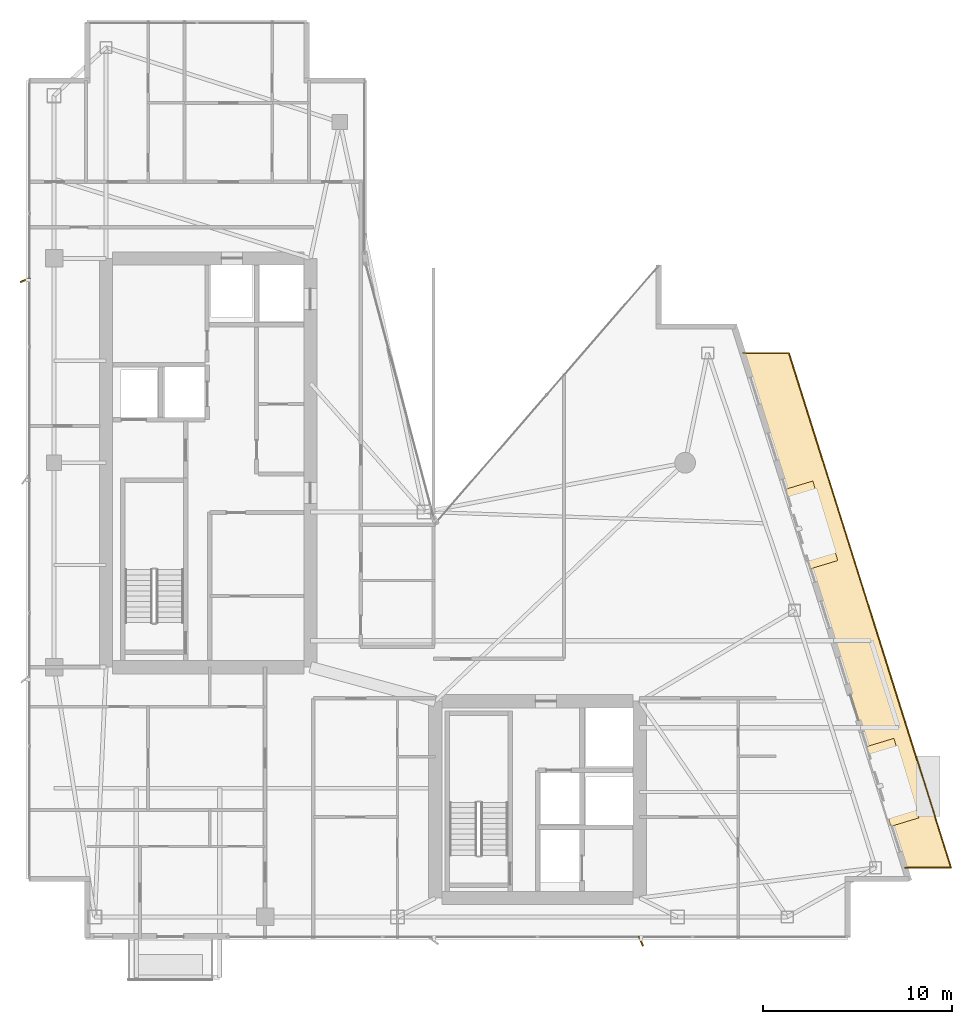
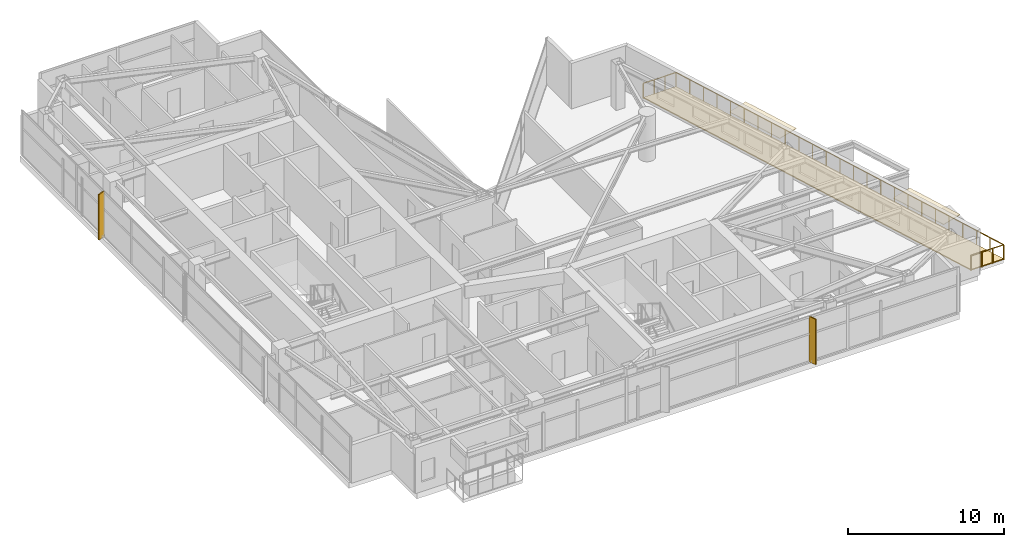
# One storey, part 28 of 28: 3 coverings, 2 shading devices, 1 railing.
"""IFC4 building model written with IfcOpenShell, lengths in metres."""

from ifc_helpers import new_model, si_unit, direction, frame, origin, origin_2d, place, context, subcontext, project, spatial, polyline, rectangle, circle, outline, extrude, material, layer, layer_set, type_object, element, save


model = new_model("IFC4")

# Units and contexts
model_context = context("Model", 3, precision=1e-05, world=origin(), true_north=direction((0.0, 1.0)))
body_context = subcontext(model_context, "Body", "Model", "MODEL_VIEW")
ifc_project = project(units=[si_unit("LENGTHUNIT", "METRE"), si_unit("AREAUNIT", "SQUARE_METRE"), si_unit("VOLUMEUNIT", "CUBIC_METRE"), si_unit("PLANEANGLEUNIT", "RADIAN"), si_unit("MASSUNIT", "GRAM", prefix="KILO")], contexts=[model_context])

# Site, building, storey
site_placement = place(None, origin())
site = spatial("IfcSite", under=ifc_project, at=site_placement, CompositionType="ELEMENT")
building_placement = place(site_placement, origin())
building = spatial("IfcBuilding", under=site, at=building_placement, Name="Calvorn Quay Hotel", CompositionType="ELEMENT")
storey_placement = place(building_placement, frame((0.0, 0.0, 243.800048828125)))
storey = spatial("IfcBuildingStorey", under=building, at=storey_placement, Name="L60", CompositionType="ELEMENT", Elevation=243.800048828125)

# Coverings
ifc_material_1 = material(Name="Pale Anodised Aluminium Rainscreen Cladding", Category="aluminium")
ifc_layer_1 = layer(ifc_material_1, 0.044921875)
ifc_layer_set_1 = layer_set([ifc_layer_1], Name="COV-CROWN-CLAD")
covering_type_1 = type_object("IfcCoveringType", Name="COV-CROWN-CLAD", PredefinedType="CLADDING", material=ifc_layer_set_1)
covering_1_placement = place(storey_placement, frame((0.0, 0.0, 2.5048828125)))
element("IfcCovering", 1, at=covering_1_placement, inside=storey, type_object=covering_type_1, Name="Angled Bay Hood Canopy L60-HOOD-1", PredefinedType="CLADDING", context=body_context, shape_type="SweptSolid", body=[
    extrude(outline(polyline([(44.35693359375, 12.587890625), (45.8310546875, 13.034912109375), (47.154052734375, 8.8349609375), (45.679931640625, 8.387939453125), (44.35693359375, 12.587890625)])), origin(), (0.0, 0.0, 1.0), 0.045166015625),
])
covering_2_placement = place(storey_placement, frame((0.0, 0.0, 2.5048828125)))
element("IfcCovering", 2, at=covering_2_placement, inside=storey, type_object=covering_type_1, Name="Angled Bay Hood Canopy L60-HOOD-3", PredefinedType="CLADDING", context=body_context, shape_type="SweptSolid", body=[
    extrude(outline(polyline([(40.072021484375, 26.18798828125), (41.544921875, 26.635009765625), (42.867919921875, 22.43505859375), (41.39501953125, 21.988037109375), (40.072021484375, 26.18798828125)])), origin(), (0.0, 0.0, 1.0), 0.045166015625),
])
ifc_material_2 = material(Name="Insulated Elastomeric Waterproof Roofing")
ifc_layer_2 = layer(ifc_material_2, 0.080078125)
ifc_layer_set_2 = layer_set([ifc_layer_2], Name="COV-ROOF-MEMBRANE")
covering_type_2 = type_object("IfcCoveringType", Name="COV-ROOF-MEMBRANE", PredefinedType="ROOFING", material=ifc_layer_set_2)
covering_3_placement = place(storey_placement, origin())
element("IfcCovering", 3, at=covering_3_placement, inside=storey, type_object=covering_type_2, Name="Setback Terrace Waterproofing (L60)", PredefinedType="ROOFING", context=body_context, shape_type="SweptSolid", body=[
    extrude(outline(polyline([(46.430908203125, 6.199951171875), (48.861083984375, 6.199951171875), (40.291015625, 33.39990234375), (37.861083984375, 33.39990234375), (46.430908203125, 6.199951171875)])), origin(), (0.0, 0.0, 1.0), 0.079833984375),
])

# Railing
ifc_material_3 = material(Name="Pale Anodised Aluminium and Laminated Glass", Category="aluminium")
railing_type = type_object("IfcRailingType", Name="RLG-BALUSTRADE-1200", PredefinedType="BALUSTRADE", material=ifc_material_3)
railing_placement = place(storey_placement, frame((46.430908203125, 6.199951171875, 0.0)))
element("IfcRailing", 4, at=railing_placement, inside=storey, type_object=railing_type, Name="Sawtooth Setback Terrace Balustrade (L60)", PredefinedType="BALUSTRADE", context=body_context, shape_type="SweptSolid", body=[
    extrude(circle(Radius=0.02392578125, at=origin_2d()), frame((0.0, 0.0, 1.17578125), z_axis=(1.0, 0.0, 0.0), x_axis=(0.0, 1.0, 0.0)), (0.0, 0.0, 1.0), 2.43017578125),
    extrude(circle(Radius=0.02392578125, at=origin_2d()), frame((2.43017578125, 0.0, 1.17578125), z_axis=(-0.300513044248, 0.953777704833, 0.0), x_axis=(-0.953777704833, -0.300513044248, 0.0)), (0.0, 0.0, 1.0), 28.51806640625),
    extrude(circle(Radius=0.02392578125, at=origin_2d()), frame((-6.139892578125, 27.199951171875, 1.17578125), z_axis=(-1.0, 0.0, 0.0), x_axis=(0.0, -1.0, 0.0)), (0.0, 0.0, 1.0), 2.429931640625),
    extrude(circle(Radius=0.02099609375, at=origin_2d()), origin(), (0.0, 0.0, 1.0), 1.15185546875),
    extrude(circle(Radius=0.02099609375, at=origin_2d()), frame((0.81005859375, 0.0, 0.0)), (0.0, 0.0, 1.0), 1.15185546875),
    extrude(circle(Radius=0.02099609375, at=origin_2d()), frame((1.6201171875, 0.0, 0.0)), (0.0, 0.0, 1.0), 1.15185546875),
    extrude(circle(Radius=0.02099609375, at=origin_2d()), frame((2.43017578125, 0.0, 0.0)), (0.0, 0.0, 1.0), 1.15185546875),
    extrude(circle(Radius=0.02099609375, at=origin_2d()), frame((2.072998046875, 1.13330078125, 0.0)), (0.0, 0.0, 1.0), 1.15185546875),
    extrude(circle(Radius=0.02099609375, at=origin_2d()), frame((1.716064453125, 2.2666015625, 0.0)), (0.0, 0.0, 1.0), 1.15185546875),
    extrude(circle(Radius=0.02099609375, at=origin_2d()), frame((1.35888671875, 3.39990234375, 0.0)), (0.0, 0.0, 1.0), 1.15185546875),
    extrude(circle(Radius=0.02099609375, at=origin_2d()), frame((1.001953125, 4.533203125, 0.0)), (0.0, 0.0, 1.0), 1.15185546875),
    extrude(circle(Radius=0.02099609375, at=origin_2d()), frame((0.644775390625, 5.666748046875, 0.0)), (0.0, 0.0, 1.0), 1.15185546875),
    extrude(circle(Radius=0.02099609375, at=origin_2d()), frame((0.28759765625, 6.800048828125, 0.0)), (0.0, 0.0, 1.0), 1.15185546875),
    extrude(circle(Radius=0.02099609375, at=origin_2d()), frame((-0.0693359375, 7.933349609375, 0.0)), (0.0, 0.0, 1.0), 1.15185546875),
    extrude(circle(Radius=0.02099609375, at=origin_2d()), frame((-0.426513671875, 9.066650390625, 0.0)), (0.0, 0.0, 1.0), 1.15185546875),
    extrude(circle(Radius=0.02099609375, at=origin_2d()), frame((-0.78369140625, 10.199951171875, 0.0)), (0.0, 0.0, 1.0), 1.15185546875),
    extrude(circle(Radius=0.02099609375, at=origin_2d()), frame((-1.140625, 11.333251953125, 0.0)), (0.0, 0.0, 1.0), 1.15185546875),
    extrude(circle(Radius=0.02099609375, at=origin_2d()), frame((-1.497802734375, 12.466552734375, 0.0)), (0.0, 0.0, 1.0), 1.15185546875),
    extrude(circle(Radius=0.02099609375, at=origin_2d()), frame((-1.85498046875, 13.60009765625, 0.0)), (0.0, 0.0, 1.0), 1.15185546875),
    extrude(circle(Radius=0.02099609375, at=origin_2d()), frame((-2.2119140625, 14.7333984375, 0.0)), (0.0, 0.0, 1.0), 1.15185546875),
    extrude(circle(Radius=0.02099609375, at=origin_2d()), frame((-2.569091796875, 15.86669921875, 0.0)), (0.0, 0.0, 1.0), 1.15185546875),
    extrude(circle(Radius=0.02099609375, at=origin_2d()), frame((-2.926025390625, 17.0, 0.0)), (0.0, 0.0, 1.0), 1.15185546875),
    extrude(circle(Radius=0.02099609375, at=origin_2d()), frame((-3.283203125, 18.13330078125, 0.0)), (0.0, 0.0, 1.0), 1.15185546875),
    extrude(circle(Radius=0.02099609375, at=origin_2d()), frame((-3.640380859375, 19.2666015625, 0.0)), (0.0, 0.0, 1.0), 1.15185546875),
    extrude(circle(Radius=0.02099609375, at=origin_2d()), frame((-3.997314453125, 20.39990234375, 0.0)), (0.0, 0.0, 1.0), 1.15185546875),
    extrude(circle(Radius=0.02099609375, at=origin_2d()), frame((-4.3544921875, 21.533203125, 0.0)), (0.0, 0.0, 1.0), 1.15185546875),
    extrude(circle(Radius=0.02099609375, at=origin_2d()), frame((-4.71142578125, 22.66650390625, 0.0)), (0.0, 0.0, 1.0), 1.15185546875),
    extrude(circle(Radius=0.02099609375, at=origin_2d()), frame((-5.068603515625, 23.800048828125, 0.0)), (0.0, 0.0, 1.0), 1.15185546875),
    extrude(circle(Radius=0.02099609375, at=origin_2d()), frame((-5.42578125, 24.933349609375, 0.0)), (0.0, 0.0, 1.0), 1.15185546875),
    extrude(circle(Radius=0.02099609375, at=origin_2d()), frame((-5.78271484375, 26.066650390625, 0.0)), (0.0, 0.0, 1.0), 1.15185546875),
    extrude(circle(Radius=0.02099609375, at=origin_2d()), frame((-6.139892578125, 27.199951171875, 0.0)), (0.0, 0.0, 1.0), 1.15185546875),
    extrude(circle(Radius=0.02099609375, at=origin_2d()), frame((-6.949951171875, 27.199951171875, 0.0)), (0.0, 0.0, 1.0), 1.15185546875),
    extrude(circle(Radius=0.02099609375, at=origin_2d()), frame((-7.759765625, 27.199951171875, 0.0)), (0.0, 0.0, 1.0), 1.15185546875),
    extrude(circle(Radius=0.02099609375, at=origin_2d()), frame((-8.56982421875, 27.199951171875, 0.0)), (0.0, 0.0, 1.0), 1.15185546875),
])

# Shading devices
ifc_material_4 = material(Name="Champagne Bronze Anodised Aluminium 6063-T6", Category="aluminium")
shading_device_type = type_object("IfcShadingDeviceType", Name="SHD-FIN-A1", PredefinedType="USERDEFINED", material=ifc_material_4)
for number, where, z_axis, x_axis, name in (
    (5, (-0.080078125, 37.25, 0.0), (0.0, 0.0, 1.0), (0.927183854567, 0.374606593416, 0.0), "Diagonal Sun-Shading Fin L60-W03"),
    (6, (32.467041015625, 2.320068359375, 0.0), (0.0, 0.0, 1.0), (-0.374606593416, 0.927183854567, 0.0), "Diagonal Sun-Shading Fin L60-S02"),
):
    element("IfcShadingDevice", number, at=place(storey_placement, frame(where, z_axis=z_axis, x_axis=x_axis)), inside=storey, type_object=shading_device_type, Name=name, ObjectType="FIN", PredefinedType="USERDEFINED", context=body_context, shape_type="SweptSolid", body=[
        extrude(rectangle(XDim=0.550048828125, YDim=0.080078125, at=origin_2d()), origin(), (0.0, 0.0, 1.0), 3.56005859375),
    ])

save(model, "model.ifc")
